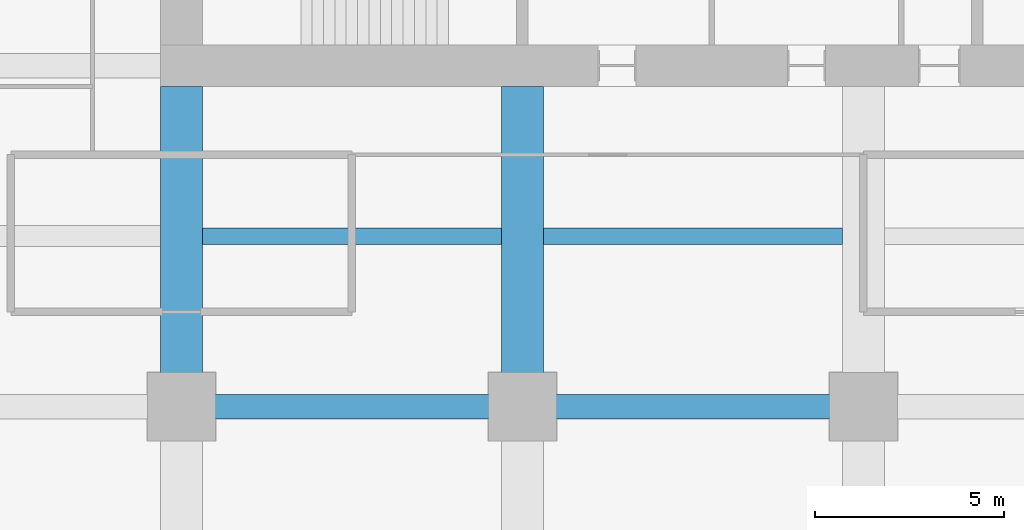
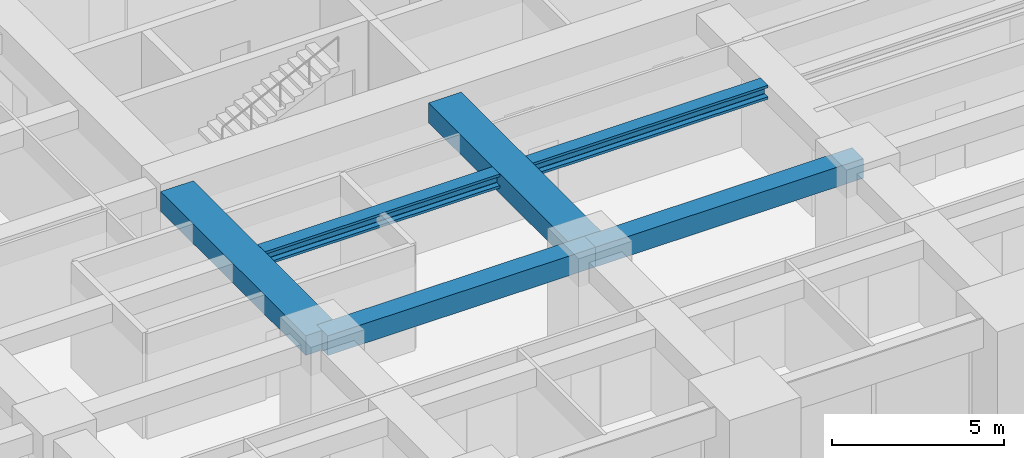
# One storey, part 8 of 40: 6 beams.
"""IFC4 building model written with IfcOpenShell, lengths in metres."""

from ifc_helpers import new_model, si_unit, direction, frame, origin, origin_2d, place, context, subcontext, project, spatial, rectangle, i_section, extrude, material, material_profile, profile_set, type_object, element, save


model = new_model("IFC4")

# Units and contexts
model_context = context("Model", 3, precision=1e-05, world=origin(), true_north=direction((0.0, 1.0)))
body_context = subcontext(model_context, "Body", "Model", "MODEL_VIEW")
ifc_project = project(units=[si_unit("LENGTHUNIT", "METRE"), si_unit("AREAUNIT", "SQUARE_METRE"), si_unit("VOLUMEUNIT", "CUBIC_METRE"), si_unit("PLANEANGLEUNIT", "RADIAN"), si_unit("MASSUNIT", "GRAM", prefix="KILO")], contexts=[model_context])

# Site, building, storey
site_placement = place(None, origin())
site = spatial("IfcSite", under=ifc_project, at=site_placement, CompositionType="ELEMENT")
building_placement = place(site_placement, origin())
building = spatial("IfcBuilding", under=site, at=building_placement, Name="Zorevar Civic Tower", CompositionType="ELEMENT")
storey_placement = place(building_placement, frame((0.0, 0.0, 133.0)))
storey = spatial("IfcBuildingStorey", under=building, at=storey_placement, Name="L32", CompositionType="ELEMENT", Elevation=133.0)

# Beams
ifc_material_1 = material(Name="Concrete C50/60", Category="concrete")
ifc_material_profile_1 = material_profile(ifc_material_1, rectangle(XDim=1.10009765625, YDim=0.699951171875, at=origin_2d()), Name="RC 1100x700")
ifc_profile_set_1 = profile_set([ifc_material_profile_1], Name="Concrete C50/60")
beam_type_1 = type_object("IfcBeamType", Name="Beam RC 1100x700", PredefinedType="BEAM", material=ifc_profile_set_1)
for number, where, z_axis, x_axis, name in (
    (1, (18.0, 9.0, 3.39990234375), (0.0, 1.0, 0.0), (-1.0, 0.0, 0.0), "Girder L33"),
    (2, (27.0, 9.0, 3.39990234375), (0.0, 1.0, 0.0), (-1.0, 0.0, 0.0), "Girder L33"),
):
    element("IfcBeam", number, at=place(storey_placement, frame(where, z_axis=z_axis, x_axis=x_axis)), inside=storey, type_object=beam_type_1, Name=name, PredefinedType="BEAM", context=body_context, shape_type="SweptSolid", body=[
        extrude(rectangle(XDim=1.10009765625, YDim=0.699951171875, at=origin_2d()), origin(), (0.0, 0.0, 1.0), 8.449951171875),
    ])
ifc_material_2 = material(Name="Concrete C50/60", Category="concrete")
ifc_material_profile_2 = material_profile(ifc_material_2, rectangle(XDim=0.64990234375, YDim=0.699951171875, at=origin_2d()), Name="RC 650x700")
ifc_profile_set_2 = profile_set([ifc_material_profile_2], Name="Concrete C50/60")
beam_type_2 = type_object("IfcBeamType", Name="Beam RC 650x700", PredefinedType="BEAM", material=ifc_profile_set_2)
for number, where, z_axis, x_axis, name in (
    (3, (18.0, 9.0, 3.39990234375), (1.0, 0.0, 0.0), (0.0, 1.0, 0.0), "Girder L33"),
    (4, (27.0, 9.0, 3.39990234375), (1.0, 0.0, 0.0), (0.0, 1.0, 0.0), "Girder L33"),
):
    element("IfcBeam", number, at=place(storey_placement, frame(where, z_axis=z_axis, x_axis=x_axis)), inside=storey, type_object=beam_type_2, Name=name, PredefinedType="BEAM", context=body_context, shape_type="SweptSolid", body=[
        extrude(rectangle(XDim=0.64990234375, YDim=0.699951171875, at=origin_2d()), origin(), (0.0, 0.0, 1.0), 9.0),
    ])
ifc_material_3 = material(Name="Steel S460M (HISTAR 460)", Category="steel")
ifc_material_profile_3 = material_profile(ifc_material_3, i_section(OverallWidth=0.431884765625, OverallDepth=0.498046875, WebThickness=0.0556640625, FlangeThickness=0.0888671875, FilletRadius=0.014892578125, at=origin_2d()), Name="HD 400x744")
ifc_profile_set_3 = profile_set([ifc_material_profile_3], Name="Steel S460M (HISTAR 460)")
beam_type_3 = type_object("IfcBeamType", Name="Core bay beam HD 400x744", PredefinedType="BEAM", material=ifc_profile_set_3)
for number, where, z_axis, x_axis, name in (
    (5, (18.550048828125, 13.5, 3.5009765625), (1.0, 0.0, 0.0), (0.0, 1.0, 0.0), "Secondary beam L33"),
    (6, (27.550048828125, 13.5, 3.5009765625), (1.0, 0.0, 0.0), (0.0, 1.0, 0.0), "Secondary beam L33"),
):
    element("IfcBeam", number, at=place(storey_placement, frame(where, z_axis=z_axis, x_axis=x_axis)), inside=storey, type_object=beam_type_3, Name=name, PredefinedType="BEAM", context=body_context, shape_type="SweptSolid", body=[
        extrude(i_section(OverallWidth=0.431884765625, OverallDepth=0.498046875, WebThickness=0.0556640625, FlangeThickness=0.0888671875, FilletRadius=0.014892578125, at=origin_2d()), origin(), (0.0, 0.0, 1.0), 7.89990234375),
    ])

save(model, "model.ifc")
